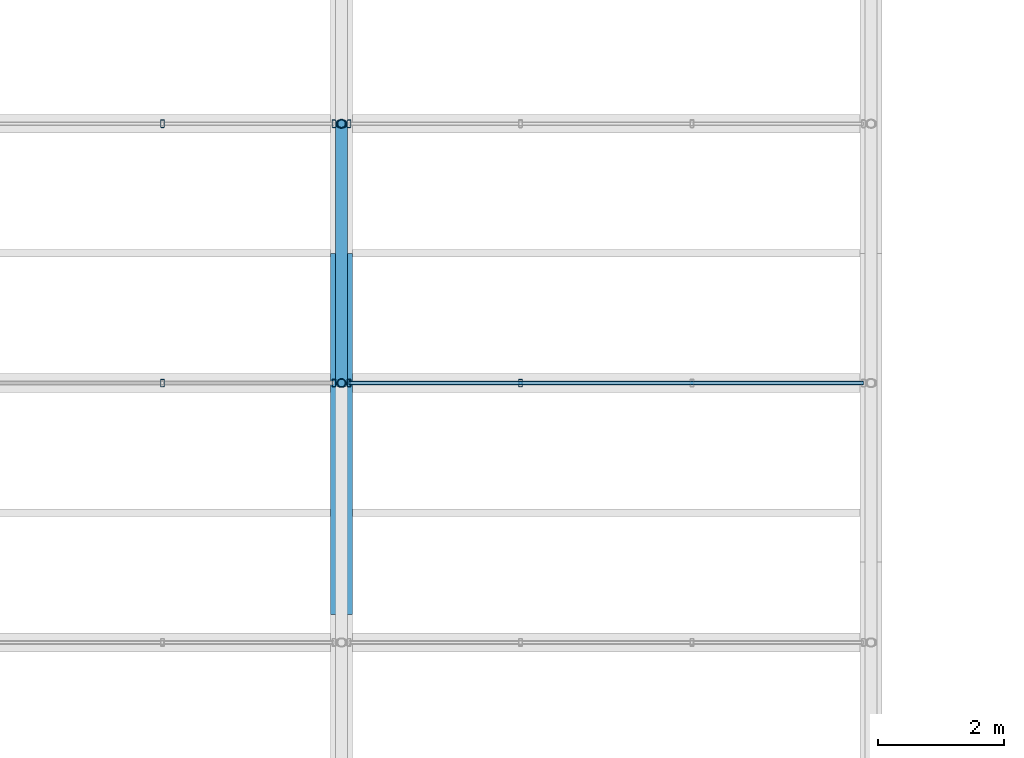
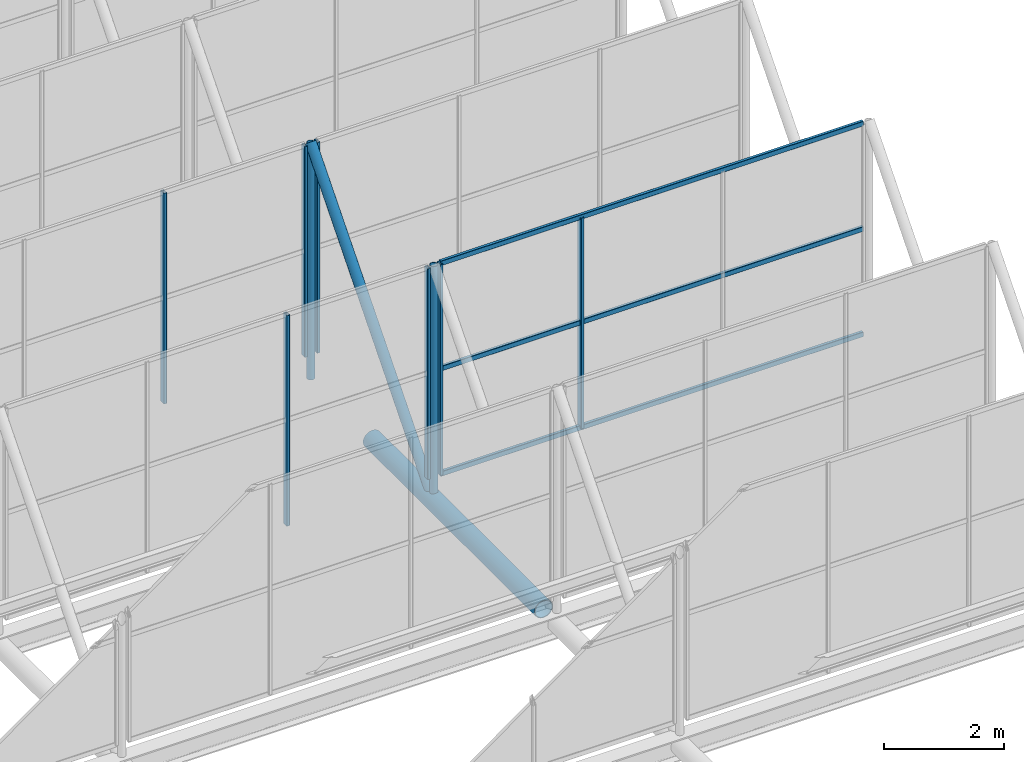
# One storey, part 43 of 77: 14 members, 4 elements without a shape of their own.
"""IFC4 building model written with IfcOpenShell, lengths in metres."""

from ifc_helpers import new_model, si_unit, derived_unit, direction, frame, origin, origin_2d, place, context, subcontext, project, spatial, hollow_rectangle, hollow_circle, extrude, material, material_profile, profile_set, type_object, element, aggregate, save


model = new_model("IFC4")

# Units and contexts
model_context = context("Model", 3, precision=1e-05, world=origin(), true_north=direction((0.0, 1.0)))
body_context = subcontext(model_context, "Body", "Model", "MODEL_VIEW")
ifc_project = project(units=[si_unit("LENGTHUNIT", "METRE"), si_unit("AREAUNIT", "SQUARE_METRE"), si_unit("VOLUMEUNIT", "CUBIC_METRE"), si_unit("PLANEANGLEUNIT", "RADIAN"), si_unit("MASSUNIT", "GRAM", prefix="KILO"), derived_unit("THERMALTRANSMITTANCEUNIT", [(si_unit("MASSUNIT", "GRAM", prefix="KILO"), 1), (si_unit("TIMEUNIT", "SECOND"), -3), (si_unit("THERMODYNAMICTEMPERATUREUNIT", "KELVIN"), -1)])], contexts=[model_context])

# Site, building, storey
site_placement = place(None, origin())
site = spatial("IfcSite", under=ifc_project, at=site_placement, CompositionType="ELEMENT")
building_placement = place(site_placement, origin())
building = spatial("IfcBuilding", under=site, at=building_placement, Name="Kharveza Railside Sports Centre", CompositionType="ELEMENT")
storey_placement = place(building_placement, frame((0.0, 0.0, 17.10009765625)))
storey = spatial("IfcBuildingStorey", under=building, at=storey_placement, Name="L04", CompositionType="ELEMENT", Elevation=17.10009765625)

# Curtain wall, members
ifc_material_1 = material(Name="Low-E solar-control laminated glass", Category="glass")
curtain_wall_type = type_object("IfcCurtainWallType", Name="CW-NL01", PredefinedType="NOTDEFINED", material=ifc_material_1)
curtain_wall_1_placement = place(storey_placement, origin())
curtain_wall_1 = element("IfcCurtainWall", 1, at=curtain_wall_1_placement, inside=storey, type_object=curtain_wall_type, Name="CW-V1NL-3-4", PredefinedType="NOTDEFINED")
ifc_material_2 = material(Name="Anodised aluminium 6063-T6", Category="aluminium")
ifc_material_profile_1 = material_profile(ifc_material_2, hollow_rectangle(XDim=0.06005859375, YDim=0.1201171875, WallThickness=0.0048828125, InnerFilletRadius=0.0048828125, OuterFilletRadius=0.010009765625, at=origin_2d()), Name="RHS 60x120x5.0")
ifc_profile_set_1 = profile_set([ifc_material_profile_1], Name="Anodised aluminium 6063-T6")
member_type_1 = type_object("IfcMemberType", Name="CW-ML05", PredefinedType="MULLION", material=ifc_profile_set_1)
member_1_placement = place(storey_placement, frame((64.360107421875, 48.343017578125, -0.550048828125), z_axis=(0.0, 0.0, 1.0), x_axis=(1.0, 0.0, 0.0)))
member_1 = element("IfcMember", 2, at=member_1_placement, type_object=member_type_1, Name="CW-V1NL-3-4-ML3", PredefinedType="MULLION", context=body_context, shape_type="SweptSolid", body=[
    extrude(hollow_rectangle(XDim=0.06005859375, YDim=0.1201171875, WallThickness=0.0048828125, InnerFilletRadius=0.0048828125, OuterFilletRadius=0.010009765625, at=origin_2d()), origin(), (0.0, 0.0, 1.0), 4.300048828125),
])
member_2_placement = place(storey_placement, frame((67.080078125, 48.343017578125, -0.550048828125), z_axis=(0.0, 0.0, 1.0), x_axis=(1.0, 0.0, 0.0)))
member_2 = element("IfcMember", 3, at=member_2_placement, type_object=member_type_1, Name="CW-V1NL-3-4-ML4", PredefinedType="MULLION", context=body_context, shape_type="SweptSolid", body=[
    extrude(hollow_rectangle(XDim=0.06005859375, YDim=0.1201171875, WallThickness=0.0048828125, InnerFilletRadius=0.0048828125, OuterFilletRadius=0.010009765625, at=origin_2d()), origin(), (0.0, 0.0, 1.0), 4.300048828125),
])
aggregate(curtain_wall_1, [member_1, member_2])

curtain_wall_2_placement = place(storey_placement, origin())
curtain_wall_2 = element("IfcCurtainWall", 4, at=curtain_wall_2_placement, inside=storey, type_object=curtain_wall_type, Name="CW-V1NL-3-5", PredefinedType="NOTDEFINED")
member_3_placement = place(storey_placement, frame((67.320068359375, 48.343017578125, -0.550048828125), z_axis=(0.0, 0.0, 1.0), x_axis=(1.0, 0.0, 0.0)))
member_3 = element("IfcMember", 5, at=member_3_placement, type_object=member_type_1, Name="CW-V1NL-3-5-ML1", PredefinedType="MULLION", context=body_context, shape_type="SweptSolid", body=[
    extrude(hollow_rectangle(XDim=0.06005859375, YDim=0.1201171875, WallThickness=0.0048828125, InnerFilletRadius=0.0048828125, OuterFilletRadius=0.010009765625, at=origin_2d()), origin(), (0.0, 0.0, 1.0), 4.300048828125),
])
member_4_placement = place(storey_placement, frame((70.0400390625, 48.343017578125, -0.550048828125), z_axis=(0.0, 0.0, 1.0), x_axis=(1.0, 0.0, 0.0)))
member_4 = element("IfcMember", 6, at=member_4_placement, type_object=member_type_1, Name="CW-V1NL-3-5-ML2", PredefinedType="MULLION", context=body_context, shape_type="SweptSolid", body=[
    extrude(hollow_rectangle(XDim=0.06005859375, YDim=0.1201171875, WallThickness=0.0048828125, InnerFilletRadius=0.0048828125, OuterFilletRadius=0.010009765625, at=origin_2d()), origin(), (0.0, 0.0, 1.0), 4.300048828125),
])

curtain_wall_3_placement = place(storey_placement, origin())
curtain_wall_3 = element("IfcCurtainWall", 7, at=curtain_wall_3_placement, inside=storey, type_object=curtain_wall_type, Name="CW-V1NL-4-4", PredefinedType="NOTDEFINED")
member_5_placement = place(storey_placement, frame((64.360107421875, 52.45703125, -0.550048828125), z_axis=(0.0, 0.0, 1.0), x_axis=(1.0, 0.0, 0.0)))
member_5 = element("IfcMember", 8, at=member_5_placement, type_object=member_type_1, Name="CW-V1NL-4-4-ML3", PredefinedType="MULLION", context=body_context, shape_type="SweptSolid", body=[
    extrude(hollow_rectangle(XDim=0.06005859375, YDim=0.1201171875, WallThickness=0.0048828125, InnerFilletRadius=0.0048828125, OuterFilletRadius=0.010009765625, at=origin_2d()), origin(), (0.0, 0.0, 1.0), 4.300048828125),
])
member_6_placement = place(storey_placement, frame((67.080078125, 52.45703125, -0.550048828125), z_axis=(0.0, 0.0, 1.0), x_axis=(1.0, 0.0, 0.0)))
member_6 = element("IfcMember", 9, at=member_6_placement, type_object=member_type_1, Name="CW-V1NL-4-4-ML4", PredefinedType="MULLION", context=body_context, shape_type="SweptSolid", body=[
    extrude(hollow_rectangle(XDim=0.06005859375, YDim=0.1201171875, WallThickness=0.0048828125, InnerFilletRadius=0.0048828125, OuterFilletRadius=0.010009765625, at=origin_2d()), origin(), (0.0, 0.0, 1.0), 4.300048828125),
])
aggregate(curtain_wall_3, [member_5, member_6])

# Curtain wall, member
curtain_wall_4_placement = place(storey_placement, origin())
curtain_wall_4 = element("IfcCurtainWall", 10, at=curtain_wall_4_placement, inside=storey, type_object=curtain_wall_type, Name="CW-V1NL-4-5", PredefinedType="NOTDEFINED")
member_7_placement = place(storey_placement, frame((67.320068359375, 52.45703125, -0.550048828125), z_axis=(0.0, 0.0, 1.0), x_axis=(1.0, 0.0, 0.0)))
member_7 = element("IfcMember", 11, at=member_7_placement, type_object=member_type_1, Name="CW-V1NL-4-5-ML1", PredefinedType="MULLION", context=body_context, shape_type="SweptSolid", body=[
    extrude(hollow_rectangle(XDim=0.06005859375, YDim=0.1201171875, WallThickness=0.0048828125, InnerFilletRadius=0.0048828125, OuterFilletRadius=0.010009765625, at=origin_2d()), origin(), (0.0, 0.0, 1.0), 4.300048828125),
])
aggregate(curtain_wall_4, [member_7])

# Member
ifc_material_profile_2 = material_profile(ifc_material_2, hollow_rectangle(XDim=0.06005859375, YDim=0.10009765625, WallThickness=0.00390625, InnerFilletRadius=0.00390625, OuterFilletRadius=0.008056640625, at=origin_2d()), Name="RHS 60x100x4.0")
ifc_profile_set_2 = profile_set([ifc_material_profile_2], Name="Anodised aluminium 6063-T6")
member_type_2 = type_object("IfcMemberType", Name="CW-TR05", PredefinedType="USERDEFINED", material=ifc_profile_set_2)
member_8_placement = place(storey_placement, frame((67.320068359375, 48.343017578125, -0.550048828125), z_axis=(1.0, 0.0, 0.0), x_axis=(0.0, 1.0, 0.0)))
member_8 = element("IfcMember", 12, at=member_8_placement, type_object=member_type_2, Name="CW-V1NL-3-5-TR1", ObjectType="TRANSOM", PredefinedType="USERDEFINED", context=body_context, shape_type="SweptSolid", body=[
    extrude(hollow_rectangle(XDim=0.06005859375, YDim=0.10009765625, WallThickness=0.00390625, InnerFilletRadius=0.00390625, OuterFilletRadius=0.008056640625, at=origin_2d()), origin(), (0.0, 0.0, 1.0), 8.159912109375),
])

member_9_placement = place(storey_placement, frame((67.320068359375, 48.343017578125, 1.599853515625), z_axis=(1.0, 0.0, 0.0), x_axis=(0.0, 1.0, 0.0)))
member_9 = element("IfcMember", 13, at=member_9_placement, type_object=member_type_2, Name="CW-V1NL-3-5-TR2", ObjectType="TRANSOM", PredefinedType="USERDEFINED", context=body_context, shape_type="SweptSolid", body=[
    extrude(hollow_rectangle(XDim=0.06005859375, YDim=0.10009765625, WallThickness=0.00390625, InnerFilletRadius=0.00390625, OuterFilletRadius=0.008056640625, at=origin_2d()), origin(), (0.0, 0.0, 1.0), 8.159912109375),
])

member_10_placement = place(storey_placement, frame((67.320068359375, 48.343017578125, 3.75), z_axis=(1.0, 0.0, 0.0), x_axis=(0.0, 1.0, 0.0)))
member_10 = element("IfcMember", 14, at=member_10_placement, type_object=member_type_2, Name="CW-V1NL-3-5-TR3", ObjectType="TRANSOM", PredefinedType="USERDEFINED", context=body_context, shape_type="SweptSolid", body=[
    extrude(hollow_rectangle(XDim=0.06005859375, YDim=0.10009765625, WallThickness=0.00390625, InnerFilletRadius=0.00390625, OuterFilletRadius=0.008056640625, at=origin_2d()), origin(), (0.0, 0.0, 1.0), 8.159912109375),
])

aggregate(curtain_wall_2, [member_3, member_4, member_8, member_9, member_10])

# Members
ifc_material_3 = material(Name="Steel S355J2", Category="steel")
ifc_material_profile_3 = material_profile(ifc_material_3, hollow_circle(Radius=0.177734375, WallThickness=0.01611328125, at=origin_2d()), Name="CHS 355.6x16.0")
ifc_profile_set_3 = profile_set([ifc_material_profile_3], Name="Steel S355J2")
member_type_3 = type_object("IfcMemberType", Name="MB-CH01", PredefinedType="CHORD", material=ifc_profile_set_3)
member_11_placement = place(storey_placement, frame((67.199951171875, 44.671142578125, -1.050048828125), z_axis=(0.0, 1.0, 0.0), x_axis=(-1.0, 0.0, 0.0)))
element("IfcMember", 15, at=member_11_placement, inside=storey, type_object=member_type_3, Name="MB-V1TR-TC-5-4", PredefinedType="CHORD", context=body_context, shape_type="SweptSolid", body=[
    extrude(hollow_circle(Radius=0.177734375, WallThickness=0.01611328125, at=origin_2d()), origin(), (0.0, 0.0, 1.0), 5.728759765625),
])
ifc_material_profile_4 = material_profile(ifc_material_3, hollow_circle(Radius=0.096923828125, WallThickness=0.010009765625, at=origin_2d()), Name="CHS 193.7x10.0")
ifc_profile_set_4 = profile_set([ifc_material_profile_4], Name="Steel S355J2")
member_type_4 = type_object("IfcMemberType", Name="MB-ST02", PredefinedType="STRUT", material=ifc_profile_set_4)
member_12_placement = place(storey_placement, frame((67.199951171875, 48.343017578125, -1.050048828125), z_axis=(0.0, 0.649980985845, 0.759950470781), x_axis=(-1.0, 0.0, 0.0)))
element("IfcMember", 16, at=member_12_placement, inside=storey, type_object=member_type_4, Name="MB-V1SAW-RFT-4-5", PredefinedType="STRUT", context=body_context, shape_type="SweptSolid", body=[
    extrude(hollow_circle(Radius=0.096923828125, WallThickness=0.010009765625, at=origin_2d()), origin(), (0.0, 0.0, 1.0), 6.329345703125),
])
ifc_material_profile_5 = material_profile(ifc_material_3, hollow_circle(Radius=0.06982421875, WallThickness=0.008056640625, at=origin_2d()), Name="CHS 139.7x8.0")
ifc_profile_set_5 = profile_set([ifc_material_profile_5], Name="Steel S355J2")
member_type_5 = type_object("IfcMemberType", Name="MB-ST04", PredefinedType="STRUT", material=ifc_profile_set_5)
for number, where, z_axis, x_axis, name in (
    (17, (67.199951171875, 48.343017578125, -1.050048828125), (0.0, 0.0, 1.0), (1.0, 0.0, 0.0), "MB-V1SAW-PST-3-5"),
    (18, (67.199951171875, 52.45703125, -1.050048828125), (0.0, 0.0, 1.0), (1.0, 0.0, 0.0), "MB-V1SAW-PST-4-5"),
):
    element("IfcMember", number, at=place(storey_placement, frame(where, z_axis=z_axis, x_axis=x_axis)), inside=storey, type_object=member_type_5, Name=name, PredefinedType="STRUT", context=body_context, shape_type="SweptSolid", body=[
        extrude(hollow_circle(Radius=0.06982421875, WallThickness=0.008056640625, at=origin_2d()), origin(), (0.0, 0.0, 1.0), 4.81005859375),
    ])

save(model, "model.ifc")
